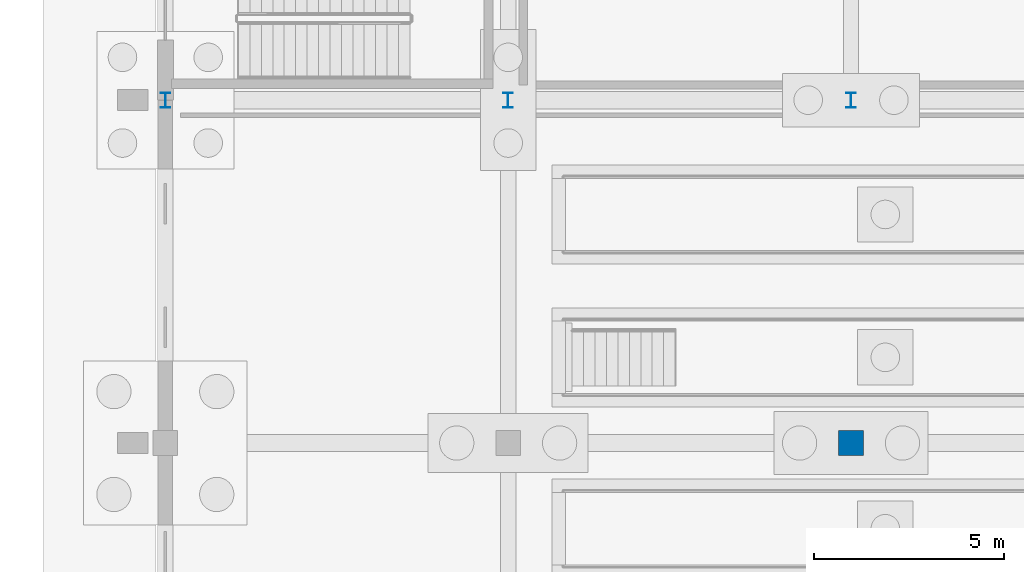
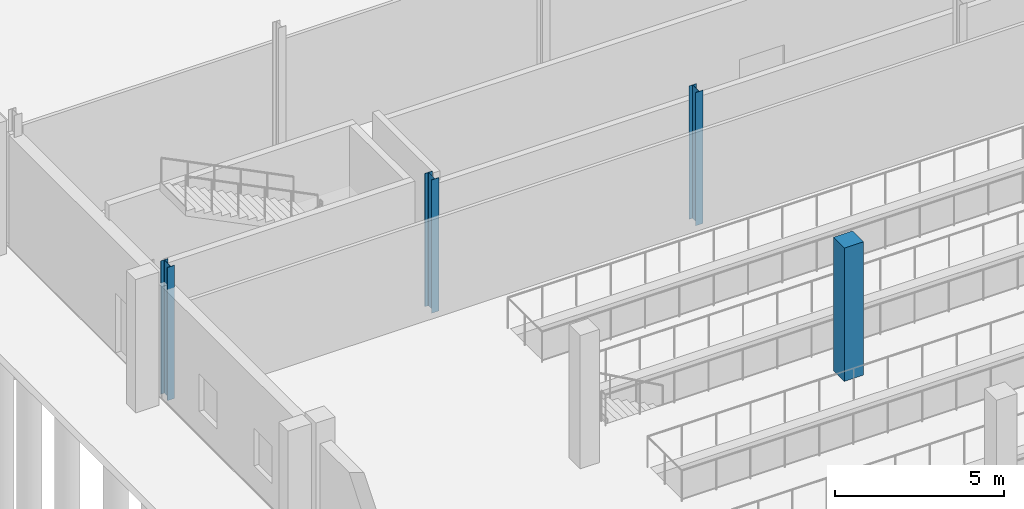
# One storey, part 20 of 112: 4 columns.
"""IFC4 building model written with IfcOpenShell, lengths in metres."""

from ifc_helpers import new_model, si_unit, direction, frame, origin, origin_2d, place, context, subcontext, project, spatial, rectangle, i_section, extrude, material, material_profile, profile_set, type_object, element, save


model = new_model("IFC4")

# Units and contexts
model_context = context("Model", 3, precision=1e-05, world=origin(), true_north=direction((0.0, 1.0)))
body_context = subcontext(model_context, "Body", "Model", "MODEL_VIEW")
ifc_project = project(units=[si_unit("LENGTHUNIT", "METRE"), si_unit("AREAUNIT", "SQUARE_METRE"), si_unit("VOLUMEUNIT", "CUBIC_METRE"), si_unit("PLANEANGLEUNIT", "RADIAN"), si_unit("MASSUNIT", "GRAM", prefix="KILO")], contexts=[model_context])

# Site, building, storey
site_placement = place(None, origin())
site = spatial("IfcSite", under=ifc_project, at=site_placement, CompositionType="ELEMENT")
building_placement = place(site_placement, origin())
building = spatial("IfcBuilding", under=site, at=building_placement, Name="Tharagai Park Tramway Depot", CompositionType="ELEMENT")
storey_placement = place(building_placement, origin())
storey = spatial("IfcBuildingStorey", under=building, at=storey_placement, Name="L00", CompositionType="ELEMENT", Elevation=0.0)

# Columns
ifc_material_1 = material(Name="Steel E350", Category="steel")
ifc_material_profile_1 = material_profile(ifc_material_1, i_section(OverallWidth=0.25, OverallDepth=0.39990234375, WebThickness=0.010498046875, FlangeThickness=0.0126953125, FilletRadius=0.013916015625, at=origin_2d()), Name="ISHB 400")
ifc_profile_set_1 = profile_set([ifc_material_profile_1], Name="Steel E350")
column_type_1 = type_object("IfcColumnType", Name="CL-06", PredefinedType="COLUMN", material=ifc_profile_set_1)
for number, where, z_axis, x_axis, name in (
    (1, (0.0, 90.0, 0.0), (0.0, 0.0, 1.0), (1.0, 0.0, 0.0), "L00 Structural Column CL-06 (0,90)"),
    (2, (9.0, 90.0, 0.0), (0.0, 0.0, 1.0), (1.0, 0.0, 0.0), "L00 Structural Column CL-06 (9,90)"),
    (3, (18.0, 90.0, 0.0), (0.0, 0.0, 1.0), (1.0, 0.0, 0.0), "L00 Structural Column CL-06 (18,90)"),
):
    element("IfcColumn", number, at=place(storey_placement, frame(where, z_axis=z_axis, x_axis=x_axis)), inside=storey, type_object=column_type_1, Name=name, PredefinedType="COLUMN", context=body_context, shape_type="SweptSolid", body=[
        extrude(i_section(OverallWidth=0.25, OverallDepth=0.39990234375, WebThickness=0.010498046875, FlangeThickness=0.0126953125, FilletRadius=0.013916015625, at=origin_2d()), origin(), (0.0, 0.0, 1.0), 4.800048828125),
    ])
ifc_material_2 = material(Name="Concrete M40", Category="concrete")
ifc_material_profile_2 = material_profile(ifc_material_2, rectangle(XDim=0.64990234375, YDim=0.64990234375, at=origin_2d()), Name="RC 650x650")
ifc_profile_set_2 = profile_set([ifc_material_profile_2], Name="Concrete M40")
column_type_2 = type_object("IfcColumnType", Name="CL-12", PredefinedType="COLUMN", material=ifc_profile_set_2)
column_placement = place(storey_placement, frame((18.0, 81.0, 0.0), z_axis=(0.0, 0.0, 1.0), x_axis=(1.0, 0.0, 0.0)))
element("IfcColumn", 4, at=column_placement, inside=storey, type_object=column_type_2, Name="L00 Structural Column CL-12 (18,81)", PredefinedType="COLUMN", context=body_context, shape_type="SweptSolid", body=[
    extrude(rectangle(XDim=0.64990234375, YDim=0.64990234375, at=origin_2d()), origin(), (0.0, 0.0, 1.0), 4.800048828125),
])

save(model, "model.ifc")
